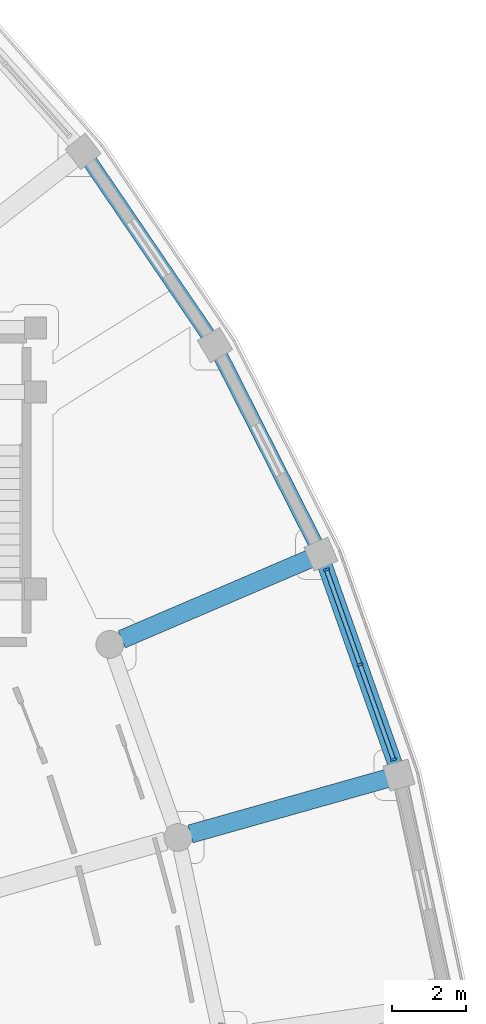
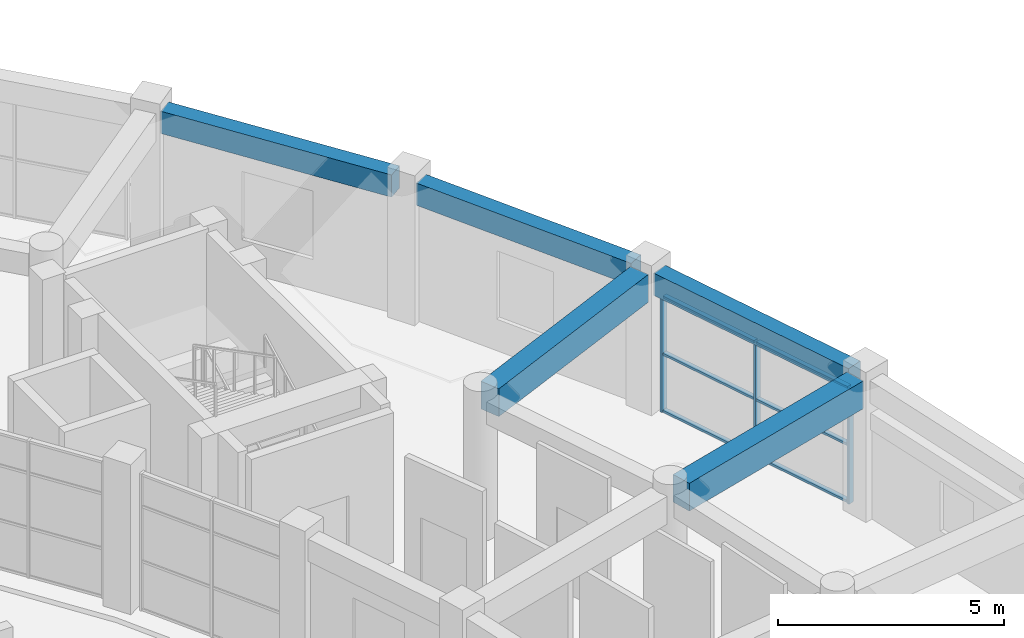
# One storey, part 41 of 87: 9 members, 5 beams, 1 element without a shape of its own.
"""IFC4 building model written with IfcOpenShell, lengths in metres."""

from ifc_helpers import new_model, si_unit, direction, frame, origin, origin_2d, place, context, subcontext, project, spatial, rectangle, extrude, material, material_profile, profile_set, type_object, element, aggregate, save


model = new_model("IFC4")

# Units and contexts
model_context = context("Model", 3, precision=1e-05, world=origin(), true_north=direction((0.0, 1.0)))
body_context = subcontext(model_context, "Body", "Model", "MODEL_VIEW")
ifc_project = project(units=[si_unit("LENGTHUNIT", "METRE"), si_unit("AREAUNIT", "SQUARE_METRE"), si_unit("VOLUMEUNIT", "CUBIC_METRE"), si_unit("PLANEANGLEUNIT", "RADIAN"), si_unit("MASSUNIT", "GRAM", prefix="KILO")], contexts=[model_context])

# Site, building, storey
site_placement = place(None, origin())
site = spatial("IfcSite", under=ifc_project, at=site_placement, CompositionType="ELEMENT")
building_placement = place(site_placement, origin())
building = spatial("IfcBuilding", under=site, at=building_placement, Name="Saryqyr Civic Hall", CompositionType="ELEMENT")
storey_placement = place(building_placement, frame((0.0, 0.0, 5.10009765625)))
storey = spatial("IfcBuildingStorey", under=building, at=storey_placement, Name="L01", CompositionType="ELEMENT", Elevation=5.10009765625)

# Curtain wall, members
ifc_material_1 = material(Name="Anodised aluminium and triple low-E glass", Category="aluminium")
curtain_wall_type = type_object("IfcCurtainWallType", Name="ENV-CW-STD-16", PredefinedType="NOTDEFINED", material=ifc_material_1)
curtain_wall_placement = place(storey_placement, origin())
curtain_wall = element("IfcCurtainWall", 1, at=curtain_wall_placement, inside=storey, type_object=curtain_wall_type, Name="Curtain wall V6-CWO-L01-02", PredefinedType="NOTDEFINED")
ifc_material_2 = material(Name="Anodised aluminium", Category="aluminium")
ifc_material_profile_1 = material_profile(ifc_material_2, rectangle(XDim=0.06005859375, YDim=0.159912109375, at=origin_2d()), Name="ALU MULLION 60x160")
ifc_profile_set_1 = profile_set([ifc_material_profile_1], Name="Anodised aluminium")
member_type_1 = type_object("IfcMemberType", Name="ENV-CW-MUL-180", PredefinedType="MULLION", material=ifc_profile_set_1)
member_1_placement = place(storey_placement, frame((102.197265625, 102.857421875, 0.0), z_axis=(0.0, 0.0, 1.0), x_axis=(0.33320233131, -0.942855347553, 0.0)))
member_1 = element("IfcMember", 2, at=member_1_placement, type_object=member_type_1, Name="CW-16 mullion 1", PredefinedType="MULLION", context=body_context, shape_type="SweptSolid", body=[
    extrude(rectangle(XDim=0.06005859375, YDim=0.159912109375, at=origin_2d()), origin(), (0.0, 0.0, 1.0), 3.14501953125),
])
member_2_placement = place(storey_placement, frame((103.103759765625, 100.292236328125, 0.0), z_axis=(0.0, 0.0, 1.0), x_axis=(0.33320233131, -0.942855347553, 0.0)))
member_2 = element("IfcMember", 3, at=member_2_placement, type_object=member_type_1, Name="CW-16 mullion 2", PredefinedType="MULLION", context=body_context, shape_type="SweptSolid", body=[
    extrude(rectangle(XDim=0.06005859375, YDim=0.159912109375, at=origin_2d()), origin(), (0.0, 0.0, 1.0), 3.14501953125),
])
member_3_placement = place(storey_placement, frame((104.01025390625, 97.72705078125, 0.0), z_axis=(0.0, 0.0, 1.0), x_axis=(0.33320233131, -0.942855347553, 0.0)))
member_3 = element("IfcMember", 4, at=member_3_placement, type_object=member_type_1, Name="CW-16 mullion 3", PredefinedType="MULLION", context=body_context, shape_type="SweptSolid", body=[
    extrude(rectangle(XDim=0.06005859375, YDim=0.159912109375, at=origin_2d()), origin(), (0.0, 0.0, 1.0), 3.14501953125),
])
ifc_material_profile_2 = material_profile(ifc_material_2, rectangle(XDim=0.1201171875, YDim=0.06005859375, at=origin_2d()), Name="ALU TRANSOM 120x60")
ifc_profile_set_2 = profile_set([ifc_material_profile_2], Name="Anodised aluminium")
member_type_2 = type_object("IfcMemberType", Name="ENV-CW-TRN-150", PredefinedType="USERDEFINED", material=ifc_profile_set_2)
member_4_placement = place(storey_placement, frame((102.207275390625, 102.8291015625, 0.02978515625), z_axis=(0.333189683339, -0.942859817214, 0.0), x_axis=(0.942859817214, 0.333189683339, 0.0)))
member_4 = element("IfcMember", 5, at=member_4_placement, type_object=member_type_2, Name="CW-16 transom 1.1", ObjectType="TRANSOM", PredefinedType="USERDEFINED", context=body_context, shape_type="SweptSolid", body=[
    extrude(rectangle(XDim=0.1201171875, YDim=0.06005859375, at=origin_2d()), origin(), (0.0, 0.0, 1.0), 2.66064453125),
])
member_5_placement = place(storey_placement, frame((102.207275390625, 102.8291015625, 1.572021484375), z_axis=(0.333189683339, -0.942859817214, 0.0), x_axis=(0.942859817214, 0.333189683339, 0.0)))
member_5 = element("IfcMember", 6, at=member_5_placement, type_object=member_type_2, Name="CW-16 transom 1.2", ObjectType="TRANSOM", PredefinedType="USERDEFINED", context=body_context, shape_type="SweptSolid", body=[
    extrude(rectangle(XDim=0.1201171875, YDim=0.06005859375, at=origin_2d()), origin(), (0.0, 0.0, 1.0), 2.66064453125),
])
member_6_placement = place(storey_placement, frame((102.207275390625, 102.8291015625, 3.114990234375), z_axis=(0.333189683339, -0.942859817214, 0.0), x_axis=(0.942859817214, 0.333189683339, 0.0)))
member_6 = element("IfcMember", 7, at=member_6_placement, type_object=member_type_2, Name="CW-16 transom 1.3", ObjectType="TRANSOM", PredefinedType="USERDEFINED", context=body_context, shape_type="SweptSolid", body=[
    extrude(rectangle(XDim=0.1201171875, YDim=0.06005859375, at=origin_2d()), origin(), (0.0, 0.0, 1.0), 2.66064453125),
])
member_7_placement = place(storey_placement, frame((103.11376953125, 100.263916015625, 0.02978515625), z_axis=(0.333189683339, -0.942859817214, 0.0), x_axis=(0.942859817214, 0.333189683339, 0.0)))
member_7 = element("IfcMember", 8, at=member_7_placement, type_object=member_type_2, Name="CW-16 transom 2.1", ObjectType="TRANSOM", PredefinedType="USERDEFINED", context=body_context, shape_type="SweptSolid", body=[
    extrude(rectangle(XDim=0.1201171875, YDim=0.06005859375, at=origin_2d()), origin(), (0.0, 0.0, 1.0), 2.66064453125),
])
member_8_placement = place(storey_placement, frame((103.11376953125, 100.263916015625, 1.572021484375), z_axis=(0.333189683339, -0.942859817214, 0.0), x_axis=(0.942859817214, 0.333189683339, 0.0)))
member_8 = element("IfcMember", 9, at=member_8_placement, type_object=member_type_2, Name="CW-16 transom 2.2", ObjectType="TRANSOM", PredefinedType="USERDEFINED", context=body_context, shape_type="SweptSolid", body=[
    extrude(rectangle(XDim=0.1201171875, YDim=0.06005859375, at=origin_2d()), origin(), (0.0, 0.0, 1.0), 2.66064453125),
])
member_9_placement = place(storey_placement, frame((103.11376953125, 100.263916015625, 3.114990234375), z_axis=(0.333189683339, -0.942859817214, 0.0), x_axis=(0.942859817214, 0.333189683339, 0.0)))
member_9 = element("IfcMember", 10, at=member_9_placement, type_object=member_type_2, Name="CW-16 transom 2.3", ObjectType="TRANSOM", PredefinedType="USERDEFINED", context=body_context, shape_type="SweptSolid", body=[
    extrude(rectangle(XDim=0.1201171875, YDim=0.06005859375, at=origin_2d()), origin(), (0.0, 0.0, 1.0), 2.66064453125),
])
aggregate(curtain_wall, [member_1, member_2, member_3, member_4, member_5, member_6, member_7, member_8, member_9])

# Beams
ifc_material_3 = material(Name="Concrete C35/45", Category="concrete")
ifc_material_profile_3 = material_profile(ifc_material_3, rectangle(XDim=0.39990234375, YDim=0.60009765625, at=origin_2d()), Name="RC 400x600")
ifc_profile_set_3 = profile_set([ifc_material_profile_3], Name="Concrete C35/45")
beam_type_1 = type_object("IfcBeamType", Name="STR-BM-RC400x600-EXT", PredefinedType="BEAM", material=ifc_profile_set_3)
beam_1_placement = place(storey_placement, frame((104.0498046875, 97.615234375, 3.469970703125), z_axis=(-0.333202405003, 0.94285532151, 0.0), x_axis=(-0.94285532151, -0.333202405003, 0.0)))
element("IfcBeam", 11, at=beam_1_placement, inside=storey, type_object=beam_type_1, Name="Beam V6-CBM-OUT02-L01", PredefinedType="BEAM", context=body_context, shape_type="SweptSolid", body=[
    extrude(rectangle(XDim=0.39990234375, YDim=0.60009765625, at=origin_2d()), origin(), (0.0, 0.0, 1.0), 5.678466796875),
])
for number, where, z_axis, x_axis, name in (
    (12, (101.902587890625, 103.5654296875, 3.469970703125), (-0.451936512464, 0.892050104367, 0.0), (-0.892050104367, -0.451936512464, 0.0), "Beam V6-CBM-OUT03-L01"),
    (13, (99.00634765625, 109.189453125, 3.469970703125), (-0.563124690211, 0.826371940033, 0.0), (-0.826371940033, -0.563124690211, 0.0), "Beam V6-CBM-OUT04-L01"),
):
    element("IfcBeam", number, at=place(storey_placement, frame(where, z_axis=z_axis, x_axis=x_axis)), inside=storey, type_object=beam_type_1, Name=name, PredefinedType="BEAM", context=body_context, shape_type="SweptSolid", body=[
        extrude(rectangle(XDim=0.39990234375, YDim=0.60009765625, at=origin_2d()), origin(), (0.0, 0.0, 1.0), 5.6787109375),
    ])
ifc_material_4 = material(Name="Concrete C40/50", Category="concrete")
ifc_material_profile_4 = material_profile(ifc_material_4, rectangle(XDim=0.5, YDim=0.75, at=origin_2d()), Name="RC 500x750")
ifc_profile_set_4 = profile_set([ifc_material_profile_4], Name="Concrete C40/50")
beam_type_2 = type_object("IfcBeamType", Name="STR-BM-RC500x750", PredefinedType="BEAM", material=ifc_profile_set_4)
beam_2_placement = place(storey_placement, frame((98.52783203125, 95.719970703125, 3.39501953125), z_axis=(0.962415922005, 0.271579809763, 0.0), x_axis=(-0.271579809763, 0.962415922005, 0.0)))
element("IfcBeam", 14, at=beam_2_placement, inside=storey, type_object=beam_type_2, Name="Beam V6-RBM-B02-L01", PredefinedType="BEAM", context=body_context, shape_type="SweptSolid", body=[
    extrude(rectangle(XDim=0.5, YDim=0.75, at=origin_2d()), origin(), (0.0, 0.0, 1.0), 5.525146484375),
])
beam_3_placement = place(storey_placement, frame((96.671142578125, 100.974365234375, 3.39501953125), z_axis=(0.91937572753, 0.393380568444, 0.0), x_axis=(-0.393380568444, 0.91937572753, 0.0)))
element("IfcBeam", 15, at=beam_3_placement, inside=storey, type_object=beam_type_2, Name="Beam V6-RBM-B03-L01", PredefinedType="BEAM", context=body_context, shape_type="SweptSolid", body=[
    extrude(rectangle(XDim=0.5, YDim=0.75, at=origin_2d()), origin(), (0.0, 0.0, 1.0), 5.524658203125),
])

save(model, "model.ifc")
